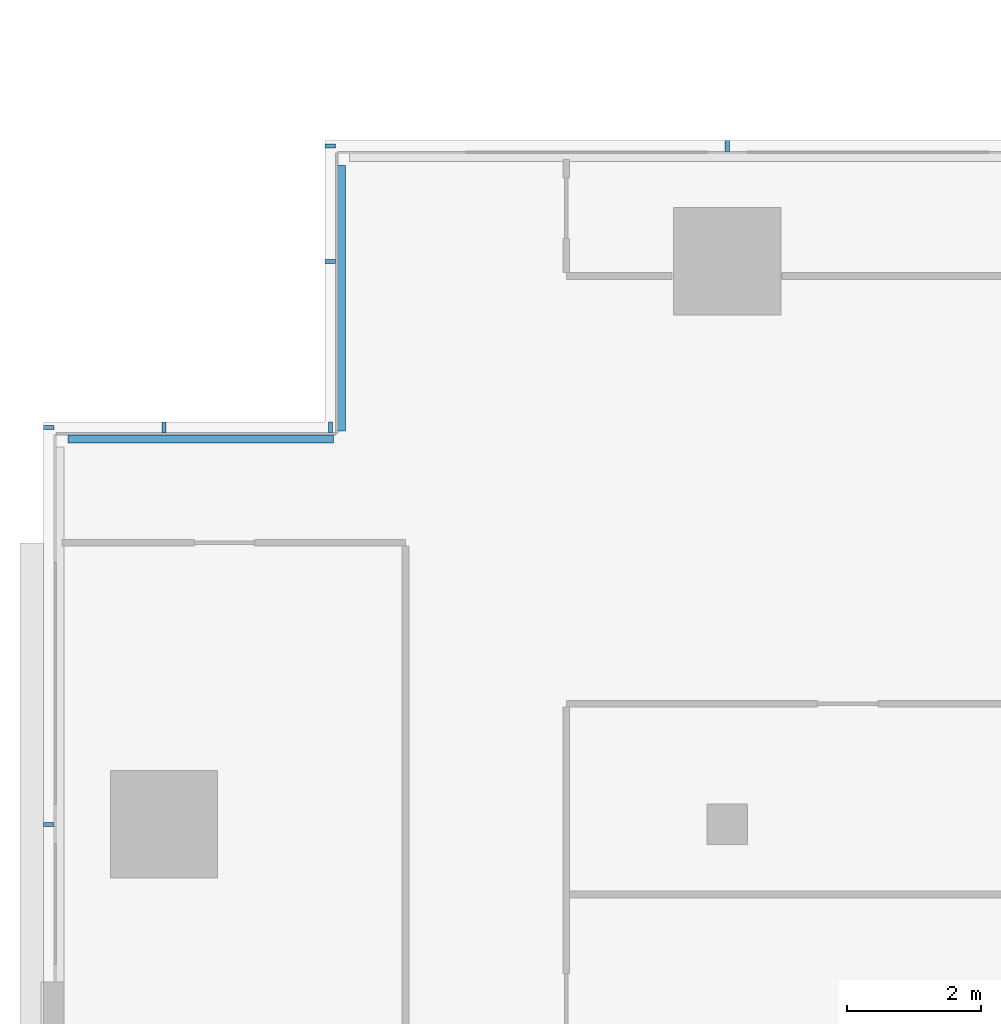
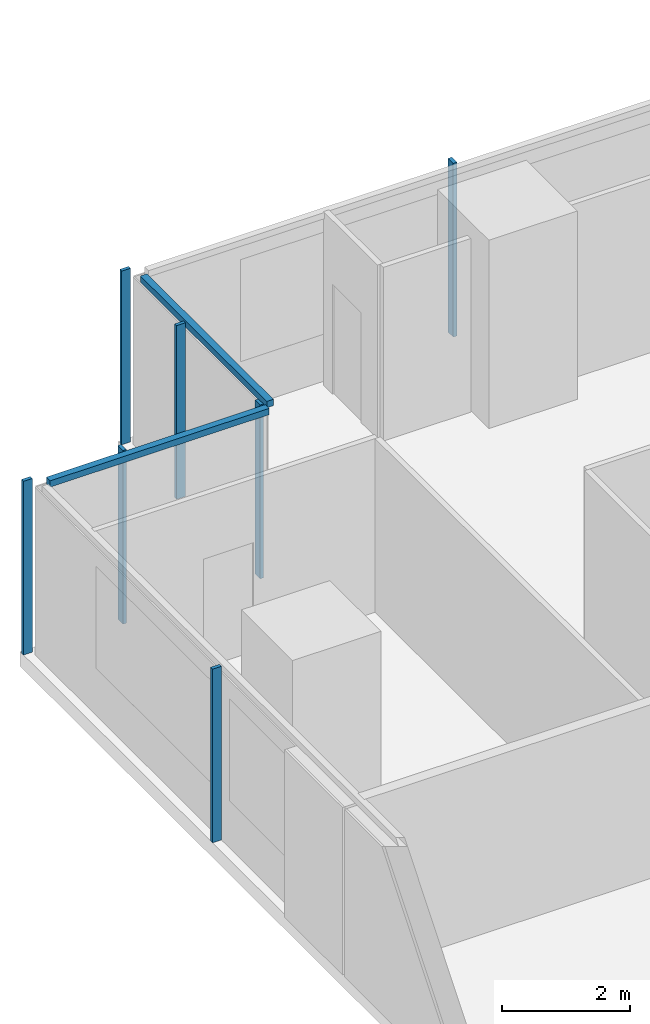
# One storey, part 11 of 31: 9 members, 4 elements without a shape of their own.
"""IFC4 building model written with IfcOpenShell, lengths in metres."""

from ifc_helpers import new_model, si_unit, direction, frame, origin, origin_2d, place, context, subcontext, project, spatial, rectangle, extrude, material, material_profile, profile_set, type_object, element, aggregate, save


model = new_model("IFC4")

# Units and contexts
model_context = context("Model", 3, precision=1e-05, world=origin(), true_north=direction((0.0, 1.0)))
body_context = subcontext(model_context, "Body", "Model", "MODEL_VIEW")
ifc_project = project(units=[si_unit("LENGTHUNIT", "METRE"), si_unit("AREAUNIT", "SQUARE_METRE"), si_unit("VOLUMEUNIT", "CUBIC_METRE"), si_unit("PLANEANGLEUNIT", "RADIAN"), si_unit("MASSUNIT", "GRAM", prefix="KILO")], contexts=[model_context])

# Site, building, storey
site_placement = place(None, origin())
site = spatial("IfcSite", under=ifc_project, at=site_placement, CompositionType="ELEMENT")
building_placement = place(site_placement, origin())
building = spatial("IfcBuilding", under=site, at=building_placement, Name="Saffron Gate Tower", CompositionType="ELEMENT")
storey_placement = place(building_placement, frame((0.0, 0.0, 205.5)))
storey = spatial("IfcBuildingStorey", under=building, at=storey_placement, Name="L49", CompositionType="ELEMENT", Elevation=205.5)

# Curtain wall, members
ifc_material = material(Name="Aluminium, bronze anodised", Category="aluminium")
curtain_wall_type_1 = type_object("IfcCurtainWallType", Name="CWS2 curtain wall side facades", PredefinedType="NOTDEFINED", material=ifc_material)
curtain_wall_1_placement = place(storey_placement, origin())
curtain_wall_1 = element("IfcCurtainWall", 1, at=curtain_wall_1_placement, inside=storey, type_object=curtain_wall_type_1, Name="CWS2 run 10", PredefinedType="NOTDEFINED")
ifc_material_profile_1 = material_profile(ifc_material, rectangle(XDim=0.159912109375, YDim=0.06005859375, at=origin_2d()))
ifc_profile_set_1 = profile_set([ifc_material_profile_1], Name="Aluminium, bronze anodised")
member_type_1 = type_object("IfcMemberType", Name="CWS2 mullion 60x160", PredefinedType="MULLION", material=ifc_profile_set_1)
member_1_placement = place(storey_placement, frame((48.080078125, 71.320068359375, 0.0), z_axis=(0.0, 0.0, 1.0), x_axis=(1.0, 0.0, 0.0)))
member_1 = element("IfcMember", 2, at=member_1_placement, type_object=member_type_1, Name="CWS2 mullion 1", PredefinedType="MULLION", context=body_context, shape_type="SweptSolid", body=[
    extrude(rectangle(XDim=0.159912109375, YDim=0.06005859375, at=origin_2d()), origin(), (0.0, 0.0, 1.0), 3.320068359375),
])
member_2_placement = place(storey_placement, frame((48.080078125, 65.39990234375, 0.0), z_axis=(0.0, 0.0, 1.0), x_axis=(1.0, 0.0, 0.0)))
member_2 = element("IfcMember", 3, at=member_2_placement, type_object=member_type_1, Name="CWS2 mullion 2", PredefinedType="MULLION", context=body_context, shape_type="SweptSolid", body=[
    extrude(rectangle(XDim=0.159912109375, YDim=0.06005859375, at=origin_2d()), origin(), (0.0, 0.0, 1.0), 3.320068359375),
])
aggregate(curtain_wall_1, [member_1, member_2])

# Curtain wall, member
curtain_wall_type_2 = type_object("IfcCurtainWallType", Name="CWS3 curtain wall rear facade", PredefinedType="NOTDEFINED", material=ifc_material)
curtain_wall_2_placement = place(storey_placement, origin())
curtain_wall_2 = element("IfcCurtainWall", 4, at=curtain_wall_2_placement, inside=storey, type_object=curtain_wall_type_2, Name="CWS3 run 7", PredefinedType="NOTDEFINED")
ifc_material_profile_2 = material_profile(ifc_material, rectangle(XDim=0.159912109375, YDim=0.070068359375, at=origin_2d()))
ifc_profile_set_2 = profile_set([ifc_material_profile_2], Name="Aluminium, bronze anodised")
member_type_2 = type_object("IfcMemberType", Name="CWS3 mullion 70x160", PredefinedType="MULLION", material=ifc_profile_set_2)
member_3_placement = place(storey_placement, frame((58.199951171875, 75.52001953125, 0.0), z_axis=(0.0, 0.0, 1.0), x_axis=(0.0, -1.0, 0.0)))
member_3 = element("IfcMember", 5, at=member_3_placement, type_object=member_type_2, Name="CWS3 mullion 9", PredefinedType="MULLION", context=body_context, shape_type="SweptSolid", body=[
    extrude(rectangle(XDim=0.159912109375, YDim=0.070068359375, at=origin_2d()), origin(), (0.0, 0.0, 1.0), 3.320068359375),
])
aggregate(curtain_wall_2, [member_3])

curtain_wall_type_3 = type_object("IfcCurtainWallType", Name="CWS4 curtain wall corner returns", PredefinedType="NOTDEFINED", material=ifc_material)
curtain_wall_3_placement = place(storey_placement, origin())
curtain_wall_3 = element("IfcCurtainWall", 6, at=curtain_wall_3_placement, inside=storey, type_object=curtain_wall_type_3, Name="CWS4 run 8", PredefinedType="NOTDEFINED")
ifc_material_profile_3 = material_profile(ifc_material, rectangle(XDim=0.1201171875, YDim=0.1201171875, at=origin_2d()))
ifc_profile_set_3 = profile_set([ifc_material_profile_3], Name="Aluminium, bronze anodised")
member_type_3 = type_object("IfcMemberType", Name="CWS4 head transom", PredefinedType="USERDEFINED", material=ifc_profile_set_3)
member_4_placement = place(storey_placement, frame((52.447998046875, 75.23193359375, 3.260009765625), z_axis=(0.0, -1.0, 0.0), x_axis=(1.0, 0.0, 0.0)))
member_4 = element("IfcMember", 7, at=member_4_placement, type_object=member_type_3, Name="CWS4 head transom", ObjectType="TRANSOM", PredefinedType="USERDEFINED", context=body_context, shape_type="SweptSolid", body=[
    extrude(rectangle(XDim=0.1201171875, YDim=0.1201171875, at=origin_2d()), origin(), (0.0, 0.0, 1.0), 3.9599609375),
])

curtain_wall_4_placement = place(storey_placement, origin())
curtain_wall_4 = element("IfcCurtainWall", 8, at=curtain_wall_4_placement, inside=storey, type_object=curtain_wall_type_3, Name="CWS4 run 9", PredefinedType="NOTDEFINED")
member_5_placement = place(storey_placement, frame((52.327880859375, 71.152099609375, 3.260009765625), z_axis=(-1.0, 0.0, 0.0), x_axis=(0.0, -1.0, 0.0)))
member_5 = element("IfcMember", 9, at=member_5_placement, type_object=member_type_3, Name="CWS4 head transom", ObjectType="TRANSOM", PredefinedType="USERDEFINED", context=body_context, shape_type="SweptSolid", body=[
    extrude(rectangle(XDim=0.1201171875, YDim=0.1201171875, at=origin_2d()), origin(), (0.0, 0.0, 1.0), 3.9599609375),
])

# Member
ifc_material_profile_4 = material_profile(ifc_material, rectangle(XDim=0.159912109375, YDim=0.06005859375, at=origin_2d()))
ifc_profile_set_4 = profile_set([ifc_material_profile_4], Name="Aluminium, bronze anodised")
member_type_4 = type_object("IfcMemberType", Name="CWS4 mullion 60x160", PredefinedType="MULLION", material=ifc_profile_set_4)
member_6_placement = place(storey_placement, frame((52.280029296875, 75.52001953125, 0.0), z_axis=(0.0, 0.0, 1.0), x_axis=(1.0, 0.0, 0.0)))
member_6 = element("IfcMember", 10, at=member_6_placement, type_object=member_type_4, Name="CWS4 mullion 1", PredefinedType="MULLION", context=body_context, shape_type="SweptSolid", body=[
    extrude(rectangle(XDim=0.159912109375, YDim=0.06005859375, at=origin_2d()), origin(), (0.0, 0.0, 1.0), 3.320068359375),
])

member_7_placement = place(storey_placement, frame((52.280029296875, 73.800048828125, 0.0), z_axis=(0.0, 0.0, 1.0), x_axis=(1.0, 0.0, 0.0)))
member_7 = element("IfcMember", 11, at=member_7_placement, type_object=member_type_4, Name="CWS4 mullion 2", PredefinedType="MULLION", context=body_context, shape_type="SweptSolid", body=[
    extrude(rectangle(XDim=0.159912109375, YDim=0.06005859375, at=origin_2d()), origin(), (0.0, 0.0, 1.0), 3.320068359375),
])

aggregate(curtain_wall_3, [member_6, member_7, member_4])

member_8_placement = place(storey_placement, frame((52.280029296875, 71.320068359375, 0.0), z_axis=(0.0, 0.0, 1.0), x_axis=(0.0, -1.0, 0.0)))
member_8 = element("IfcMember", 12, at=member_8_placement, type_object=member_type_4, Name="CWS4 mullion 1", PredefinedType="MULLION", context=body_context, shape_type="SweptSolid", body=[
    extrude(rectangle(XDim=0.159912109375, YDim=0.06005859375, at=origin_2d()), origin(), (0.0, 0.0, 1.0), 3.320068359375),
])

member_9_placement = place(storey_placement, frame((49.800048828125, 71.320068359375, 0.0), z_axis=(0.0, 0.0, 1.0), x_axis=(0.0, -1.0, 0.0)))
member_9 = element("IfcMember", 13, at=member_9_placement, type_object=member_type_4, Name="CWS4 mullion 2", PredefinedType="MULLION", context=body_context, shape_type="SweptSolid", body=[
    extrude(rectangle(XDim=0.159912109375, YDim=0.06005859375, at=origin_2d()), origin(), (0.0, 0.0, 1.0), 3.320068359375),
])

aggregate(curtain_wall_4, [member_8, member_9, member_5])

save(model, "model.ifc")
